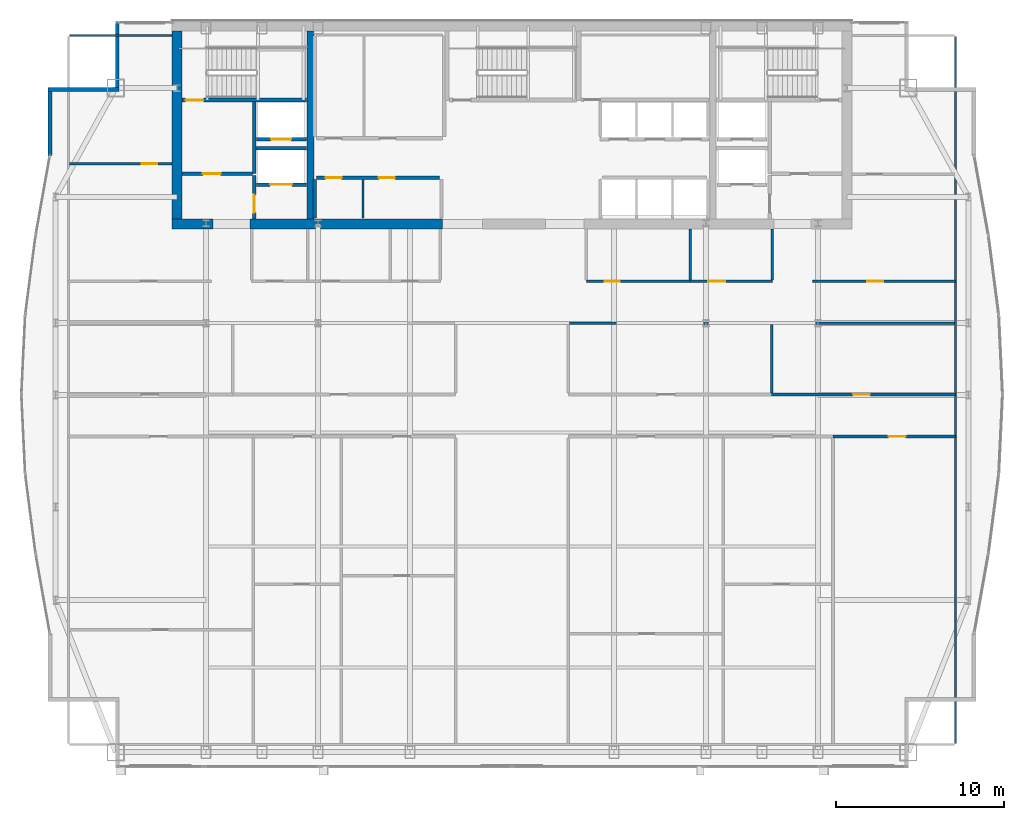
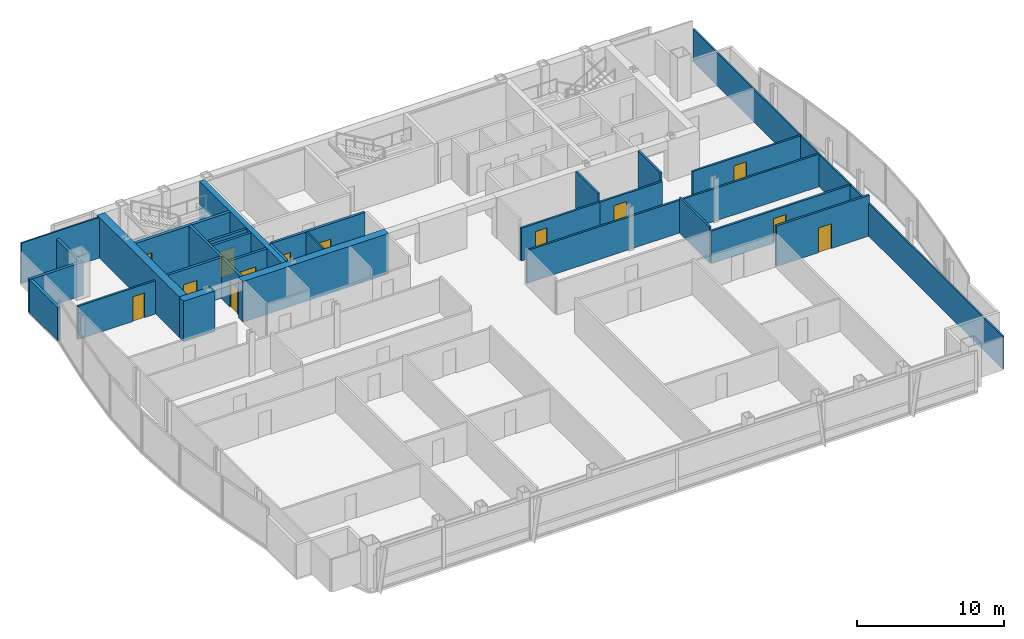
# One storey, part 26 of 30: 29 walls, 13 doors, 13 openings.
"""IFC4 building model written with IfcOpenShell, lengths in metres."""

from ifc_helpers import new_model, si_unit, direction, frame, frame_2d, origin, place, context, subcontext, project, spatial, rectangle, extrude, material, layer, layer_set, type_object, element, fill, save


model = new_model("IFC4")

# Units and contexts
model_context = context("Model", 3, precision=1e-05, world=origin(), true_north=direction((0.0, 1.0)))
body_context = subcontext(model_context, "Body", "Model", "MODEL_VIEW")
ifc_project = project(units=[si_unit("LENGTHUNIT", "METRE"), si_unit("AREAUNIT", "SQUARE_METRE"), si_unit("VOLUMEUNIT", "CUBIC_METRE"), si_unit("PLANEANGLEUNIT", "RADIAN"), si_unit("MASSUNIT", "GRAM", prefix="KILO")], contexts=[model_context])

# Site, building, storey
site_placement = place(None, origin())
site = spatial("IfcSite", under=ifc_project, at=site_placement, CompositionType="ELEMENT")
building_placement = place(site_placement, origin())
building = spatial("IfcBuilding", under=site, at=building_placement, Name="Khoronbel Lancet Exchange", CompositionType="ELEMENT")
storey_placement = place(building_placement, frame((0.0, 0.0, 253.39990234375)))
storey = spatial("IfcBuildingStorey", under=building, at=storey_placement, Name="L65", CompositionType="ELEMENT", Elevation=253.39990234375)

# Walls
ifc_material_1 = material(Name="Concrete C60/75", Category="concrete")
ifc_layer_1 = layer(ifc_material_1, 0.60009765625, Name="Concrete C60/75")
ifc_layer_set_1 = layer_set([ifc_layer_1], Name="Concrete C60/75")
wall_type_1 = type_object("IfcWallType", Name="WL-CW3", PredefinedType="SHEAR", material=ifc_layer_set_1)
wall_1_placement = place(storey_placement, frame((16.5, 41.89990234375, 0.0), z_axis=(0.0, 0.0, 1.0), x_axis=(0.0, 1.0, 0.0)))
element("IfcWall", 1, at=wall_1_placement, inside=storey, type_object=wall_type_1, Name="Level L65 rear core west shear wall", PredefinedType="SHEAR", context=body_context, shape_type="SweptSolid", body=[
    extrude(rectangle(XDim=11.2001953125, YDim=0.60009765625, at=frame_2d((5.60009765625, 0.0))), origin(), (0.0, 0.0, 1.0), 3.380126953125),
])
wall_2_placement = place(storey_placement, frame((18.64990234375, 41.60009765625, 0.0), z_axis=(0.0, 0.0, 1.0), x_axis=(-1.0, 0.0, 0.0)))
element("IfcWall", 2, at=wall_2_placement, inside=storey, type_object=wall_type_1, Name="Level L65 rear core south shear wall pier P1", PredefinedType="SHEAR", context=body_context, shape_type="SweptSolid", body=[
    extrude(rectangle(XDim=2.449951171875, YDim=0.60009765625, at=frame_2d((1.22509765625, 0.0))), origin(), (0.0, 0.0, 1.0), 3.380126953125),
])
wall_3_placement = place(storey_placement, frame((32.300048828125, 41.60009765625, 0.0), z_axis=(0.0, 0.0, 1.0), x_axis=(-1.0, 0.0, 0.0)))
element("IfcWall", 3, at=wall_3_placement, inside=storey, type_object=wall_type_1, Name="Level L65 rear core south shear wall pier P2", PredefinedType="SHEAR", context=body_context, shape_type="SweptSolid", body=[
    extrude(rectangle(XDim=11.449951171875, YDim=0.60009765625, at=frame_2d((5.72509765625, 0.0))), origin(), (0.0, 0.0, 1.0), 3.380126953125),
])
ifc_material_2 = material(Name="Precast concrete C40/50", Category="concrete")
ifc_layer_2 = layer(ifc_material_2, 0.25, Name="Precast concrete C40/50")
ifc_layer_set_2 = layer_set([ifc_layer_2], Name="Precast concrete C40/50")
wall_type_2 = type_object("IfcWallType", Name="WL-EXT250", PredefinedType="SOLIDWALL", material=ifc_layer_set_2)
wall_4_placement = place(storey_placement, frame((8.93994140625, 45.672119140625, 0.0), z_axis=(0.0, 0.0, 1.0), x_axis=(0.0, 1.0, 0.0)))
element("IfcWall", 4, at=wall_4_placement, inside=storey, type_object=wall_type_2, Name="Level L65 notched-corner limestone pier 10", PredefinedType="SOLIDWALL", context=body_context, shape_type="SweptSolid", body=[
    extrude(rectangle(XDim=3.827880859375, YDim=0.219970703125, at=frame_2d((1.9140625, 0.0))), origin(), (0.0, 0.0, 1.0), 2.77001953125),
])
wall_5_placement = place(storey_placement, frame((8.830078125, 49.610107421875, 0.0), z_axis=(0.0, 0.0, 1.0), x_axis=(1.0, 0.0, 0.0)))
element("IfcWall", 5, at=wall_5_placement, inside=storey, type_object=wall_type_2, Name="Level L65 notched-corner limestone pier 11", PredefinedType="SOLIDWALL", context=body_context, shape_type="SweptSolid", body=[
    extrude(rectangle(XDim=4.219970703125, YDim=0.219970703125, at=frame_2d((2.10986328125, 0.0))), origin(), (0.0, 0.0, 1.0), 2.77001953125),
])
wall_6_placement = place(storey_placement, frame((12.93994140625, 49.719970703125, 0.0), z_axis=(0.0, 0.0, 1.0), x_axis=(0.0, 1.0, 0.0)))
element("IfcWall", 6, at=wall_6_placement, inside=storey, type_object=wall_type_2, Name="Level L65 notched-corner limestone pier 12", PredefinedType="SOLIDWALL", context=body_context, shape_type="SweptSolid", body=[
    extrude(rectangle(XDim=3.909912109375, YDim=0.219970703125, at=frame_2d((1.955078125, 0.0))), origin(), (0.0, 0.0, 1.0), 2.77001953125),
])
ifc_material_3 = material(Name="Acoustic Metal-Stud & Mineral-Wool Gypsum Partition 120 mm", Category="gypsum")
ifc_layer_3 = layer(ifc_material_3, 0.1201171875, Name="Acoustic Metal-Stud & Mineral-Wool Gypsum Partition 120 mm")
ifc_layer_set_3 = layer_set([ifc_layer_3], Name="Acoustic Metal-Stud & Mineral-Wool Gypsum Partition 120 mm")
wall_type_3 = type_object("IfcWallType", Name="WL-PRT120", PredefinedType="PARTITIONING", material=ifc_layer_set_3)
for number, where, z_axis, x_axis, name in (
    (7, (47.050048828125, 38.280029296875, 0.0), (0.0, 0.0, 1.0), (0.0, 1.0, 0.0), "Level L65 interior partition PW-NP-M"),
    (8, (51.949951171875, 38.280029296875, 0.0), (0.0, 0.0, 1.0), (0.0, 1.0, 0.0), "Level L65 interior partition PW-NP-1"),
):
    element("IfcWall", number, at=place(storey_placement, frame(where, z_axis=z_axis, x_axis=x_axis)), inside=storey, type_object=wall_type_3, Name=name, PredefinedType="PARTITIONING", context=body_context, shape_type="SweptSolid", body=[
        extrude(rectangle(XDim=3.02001953125, YDim=0.14990234375, at=frame_2d((1.510009765625, 0.0))), origin(), (0.0, 0.0, 1.0), 3.380126953125),
    ])

# Wall, opening, door
wall_7_placement = place(storey_placement, frame((10.094970703125, 45.199951171875, 0.0), z_axis=(0.0, 0.0, 1.0), x_axis=(1.0, 0.0, 0.0)))
wall_7 = element("IfcWall", 9, at=wall_7_placement, inside=storey, type_object=wall_type_3, Name="Level L65 interior partition PW-NW-H", PredefinedType="PARTITIONING", context=body_context, shape_type="SweptSolid", body=[
    extrude(rectangle(XDim=6.10498046875, YDim=0.14990234375, at=frame_2d((3.052490234375, 0.0))), origin(), (0.0, 0.0, 1.0), 2.77001953125),
])
opening_1_placement = place(wall_7_placement, frame((4.320068359375, 0.0, 0.0)))
opening_1 = element("IfcOpeningElement", 10, at=opening_1_placement, cuts=wall_7, Name="Opening D5", PredefinedType="OPENING", context=body_context, shape_type="SweptSolid", body=[
    extrude(rectangle(XDim=0.89990234375, YDim=2.050048828125, at=frame_2d((0.449951171875, 1.02490234375))), frame((0.0, 0.0849609375, 0.0), z_axis=(0.0, -1.0, 0.0), x_axis=(1.0, 0.0, 0.0)), (0.0, 0.0, 1.0), 0.169921875),
])
ifc_material_4 = material(Name="Acoustic Timber Pantry & Support Door", Category="wood")
door_type_1 = type_object("IfcDoorType", Name="DR-D5", OperationType="NOTDEFINED", PredefinedType="DOOR", material=ifc_material_4)
door_1_placement = place(opening_1_placement, origin())
door_1 = element("IfcDoor", 11, at=door_1_placement, inside=storey, type_object=door_type_1, Name="NW north room door L65-1", OperationType="SINGLE_SWING_RIGHT", OverallHeight=2.050048828125, OverallWidth=0.89990234375, PredefinedType="DOOR", context=body_context, shape_type="SweptSolid", body=[
    extrude(rectangle(XDim=0.89990234375, YDim=2.050048828125, at=frame_2d((0.449951171875, 1.02490234375))), frame((0.0, 0.02490234375, 0.0), z_axis=(0.0, -1.0, 0.0), x_axis=(1.0, 0.0, 0.0)), (0.0, 0.0, 1.0), 0.050048828125),
])
fill(opening_1, door_1)

# Walls
wall_8_placement = place(storey_placement, frame((62.8701171875, 10.6650390625, 0.0), z_axis=(0.0, 0.0, 1.0), x_axis=(0.0, 1.0, 0.0)))
element("IfcWall", 12, at=wall_8_placement, inside=storey, type_object=wall_type_3, Name="Level L65 interior partition PW-LIN-E", PredefinedType="PARTITIONING", context=body_context, shape_type="SweptSolid", body=[
    extrude(rectangle(XDim=42.10986328125, YDim=0.1201171875, at=frame_2d((21.054931640625, 0.0))), origin(), (0.0, 0.0, 1.0), 2.72021484375),
])
wall_9_placement = place(storey_placement, frame((10.094970703125, 52.840087890625, 0.0), z_axis=(0.0, 0.0, 1.0), x_axis=(1.0, 0.0, 0.0)))
element("IfcWall", 13, at=wall_9_placement, inside=storey, type_object=wall_type_3, Name="Level L65 interior partition PW-LIN-NW", PredefinedType="PARTITIONING", context=body_context, shape_type="SweptSolid", body=[
    extrude(rectangle(XDim=6.10498046875, YDim=0.1201171875, at=frame_2d((3.052490234375, 0.0))), origin(), (0.0, 0.0, 1.0), 3.380126953125),
])
ifc_material_5 = material(Name="Fire-Rated Metal-Stud & Mineral-Wool Gypsum Partition 120 mm", Category="gypsum")
ifc_layer_4 = layer(ifc_material_5, 0.1201171875, Name="Fire-Rated Metal-Stud & Mineral-Wool Gypsum Partition 120 mm")
ifc_layer_set_4 = layer_set([ifc_layer_4], Name="Fire-Rated Metal-Stud & Mineral-Wool Gypsum Partition 120 mm")
wall_type_4 = type_object("IfcWallType", Name="WL-PRT120F", PredefinedType="PARTITIONING", material=ifc_layer_set_4)
wall_10_placement = place(storey_placement, frame((27.569091796875, 41.949951171875, 0.0), z_axis=(0.0, 0.0, 1.0), x_axis=(0.0, 1.0, 0.0)))
element("IfcWall", 14, at=wall_10_placement, inside=storey, type_object=wall_type_4, Name="Level L65 interior partition CW-PM-RS1", PredefinedType="PARTITIONING", context=body_context, shape_type="SweptSolid", body=[
    extrude(rectangle(XDim=2.295166015625, YDim=0.1201171875, at=frame_2d((1.1474609375, 0.0))), origin(), (0.0, 0.0, 1.0), 3.380126953125),
])

# Wall, opening, door
ifc_material_6 = material(Name="Fire-Rated Twin-Stud Acoustic Gypsum Partition 150 mm", Category="gypsum")
ifc_layer_5 = layer(ifc_material_6, 0.14990234375, Name="Fire-Rated Twin-Stud Acoustic Gypsum Partition 150 mm")
ifc_layer_set_5 = layer_set([ifc_layer_5], Name="Fire-Rated Twin-Stud Acoustic Gypsum Partition 150 mm")
wall_type_5 = type_object("IfcWallType", Name="WL-PRT150C", PredefinedType="PARTITIONING", material=ifc_layer_set_5)
wall_11_placement = place(storey_placement, frame((40.8798828125, 38.199951171875, 0.0), z_axis=(0.0, 0.0, 1.0), x_axis=(1.0, 0.0, 0.0)))
wall_11 = element("IfcWall", 15, at=wall_11_placement, inside=storey, type_object=wall_type_5, Name="Level L65 interior partition PW-NP-S1", PredefinedType="PARTITIONING", context=body_context, shape_type="SweptSolid", body=[
    extrude(rectangle(XDim=6.170166015625, YDim=0.14990234375, at=frame_2d((3.0849609375, 0.0))), origin(), (0.0, 0.0, 1.0), 2.72021484375),
])
opening_2_placement = place(wall_11_placement, frame((1.10009765625, 0.0, 0.0)))
opening_2 = element("IfcOpeningElement", 16, at=opening_2_placement, cuts=wall_11, Name="Opening D5", PredefinedType="OPENING", context=body_context, shape_type="SweptSolid", body=[
    extrude(rectangle(XDim=0.89990234375, YDim=2.050048828125, at=frame_2d((0.449951171875, 1.02490234375))), frame((0.0, 0.0849609375, 0.0), z_axis=(0.0, -1.0, 0.0), x_axis=(1.0, 0.0, 0.0)), (0.0, 0.0, 1.0), 0.169921875),
])
door_2_placement = place(opening_2_placement, origin())
door_2 = element("IfcDoor", 17, at=door_2_placement, inside=storey, type_object=door_type_1, Name="Floor refreshment pantry door L65-1", OperationType="SINGLE_SWING_RIGHT", OverallHeight=2.050048828125, OverallWidth=0.89990234375, PredefinedType="DOOR", context=body_context, shape_type="SweptSolid", body=[
    extrude(rectangle(XDim=0.89990234375, YDim=2.050048828125, at=frame_2d((0.449951171875, 1.02490234375))), frame((0.0, 0.02490234375, 0.0), z_axis=(0.0, -1.0, 0.0), x_axis=(1.0, 0.0, 0.0)), (0.0, 0.0, 1.0), 0.050048828125),
])
fill(opening_2, door_2)

wall_12_placement = place(storey_placement, frame((47.050048828125, 38.199951171875, 0.0), z_axis=(0.0, 0.0, 1.0), x_axis=(1.0, 0.0, 0.0)))
wall_12 = element("IfcWall", 18, at=wall_12_placement, inside=storey, type_object=wall_type_5, Name="Level L65 interior partition PW-NP-S2", PredefinedType="PARTITIONING", context=body_context, shape_type="SweptSolid", body=[
    extrude(rectangle(XDim=4.89990234375, YDim=0.14990234375, at=frame_2d((2.449951171875, 0.0))), origin(), (0.0, 0.0, 1.0), 2.72021484375),
])
opening_3_placement = place(wall_12_placement, frame((1.10009765625, 0.0, 0.0)))
opening_3 = element("IfcOpeningElement", 19, at=opening_3_placement, cuts=wall_12, Name="Opening D2", PredefinedType="OPENING", context=body_context, shape_type="SweptSolid", body=[
    extrude(rectangle(XDim=1.0, YDim=2.050048828125, at=frame_2d((0.5, 1.02490234375))), frame((0.0, 0.0849609375, 0.0), z_axis=(0.0, -1.0, 0.0), x_axis=(1.0, 0.0, 0.0)), (0.0, 0.0, 1.0), 0.169921875),
])
ifc_material_7 = material(Name="Acoustic Veneered Timber & Bronze Frame Door", Category="wood")
door_type_2 = type_object("IfcDoorType", Name="DR-D2", OperationType="NOTDEFINED", PredefinedType="DOOR", material=ifc_material_7)
door_3_placement = place(opening_3_placement, origin())
door_3 = element("IfcDoor", 20, at=door_3_placement, inside=storey, type_object=door_type_2, Name="Floor store door L65-1", OperationType="SINGLE_SWING_LEFT", OverallHeight=2.050048828125, OverallWidth=1.0, PredefinedType="DOOR", context=body_context, shape_type="SweptSolid", body=[
    extrude(rectangle(XDim=1.0, YDim=2.050048828125, at=frame_2d((0.5, 1.02490234375))), frame((0.0, 0.02490234375, 0.0), z_axis=(0.0, -1.0, 0.0), x_axis=(1.0, 0.0, 0.0)), (0.0, 0.0, 1.0), 0.050048828125),
])
fill(opening_3, door_3)

wall_13_placement = place(storey_placement, frame((54.35009765625, 38.199951171875, 0.0), z_axis=(0.0, 0.0, 1.0), x_axis=(1.0, 0.0, 0.0)))
wall_13 = element("IfcWall", 21, at=wall_13_placement, inside=storey, type_object=wall_type_5, Name="Level L65 interior partition PW-NE-S", PredefinedType="PARTITIONING", context=body_context, shape_type="SweptSolid", body=[
    extrude(rectangle(XDim=8.52001953125, YDim=0.14990234375, at=frame_2d((4.260009765625, 0.0))), origin(), (0.0, 0.0, 1.0), 2.72021484375),
])
opening_4_placement = place(wall_13_placement, frame((3.25, 0.0, 0.0)))
opening_4 = element("IfcOpeningElement", 22, at=opening_4_placement, cuts=wall_13, Name="Opening D1", PredefinedType="OPENING", context=body_context, shape_type="SweptSolid", body=[
    extrude(rectangle(XDim=0.949951171875, YDim=2.050048828125, at=frame_2d((0.47509765625, 1.02490234375))), frame((0.0, 0.0849609375, 0.0), z_axis=(0.0, -1.0, 0.0), x_axis=(1.0, 0.0, 0.0)), (0.0, 0.0, 1.0), 0.169921875),
])
door_type_3 = type_object("IfcDoorType", Name="DR-D1", OperationType="NOTDEFINED", PredefinedType="DOOR", material=ifc_material_7)
door_4_placement = place(opening_4_placement, origin())
door_4 = element("IfcDoor", 23, at=door_4_placement, inside=storey, type_object=door_type_3, Name="NE corner room door L65-1", OperationType="SINGLE_SWING_LEFT", OverallHeight=2.050048828125, OverallWidth=0.949951171875, PredefinedType="DOOR", context=body_context, shape_type="SweptSolid", body=[
    extrude(rectangle(XDim=0.949951171875, YDim=2.050048828125, at=frame_2d((0.47509765625, 1.02490234375))), frame((0.0, 0.02490234375, 0.0), z_axis=(0.0, -1.0, 0.0), x_axis=(1.0, 0.0, 0.0)), (0.0, 0.0, 1.0), 0.050048828125),
])
fill(opening_4, door_4)

# Walls
wall_14_placement = place(storey_placement, frame((39.8798828125, 35.699951171875, 0.0), z_axis=(0.0, 0.0, 1.0), x_axis=(1.0, 0.0, 0.0)))
element("IfcWall", 24, at=wall_14_placement, inside=storey, type_object=wall_type_5, Name="Level L65 interior partition PW-Z3-EN", PredefinedType="PARTITIONING", context=body_context, shape_type="SweptSolid", body=[
    extrude(rectangle(XDim=22.925048828125, YDim=0.14990234375, at=frame_2d((11.46240234375, 0.0))), origin(), (0.0, 0.0, 1.0), 2.72021484375),
])
wall_15_placement = place(storey_placement, frame((51.91162109375, 31.534912109375, 0.0), z_axis=(0.0, 0.0, 1.0), x_axis=(0.0, 1.0, 0.0)))
element("IfcWall", 25, at=wall_15_placement, inside=storey, type_object=wall_type_5, Name="Level L65 interior partition PW-Z3NE-V1", PredefinedType="PARTITIONING", context=body_context, shape_type="SweptSolid", body=[
    extrude(rectangle(XDim=4.085205078125, YDim=0.14990234375, at=frame_2d((2.04248046875, 0.0))), origin(), (0.0, 0.0, 1.0), 2.97021484375),
])

# Wall, opening, door
ifc_material_8 = material(Name="Fire-Rated Twin-Stud Acoustic Gypsum Partition 160 mm", Category="gypsum")
ifc_layer_6 = layer(ifc_material_8, 0.159912109375, Name="Fire-Rated Twin-Stud Acoustic Gypsum Partition 160 mm")
ifc_layer_set_6 = layer_set([ifc_layer_6], Name="Fire-Rated Twin-Stud Acoustic Gypsum Partition 160 mm")
wall_type_6 = type_object("IfcWallType", Name="WL-PRT160C", PredefinedType="PARTITIONING", material=ifc_layer_set_6)
wall_16_placement = place(storey_placement, frame((55.564453125, 28.949951171875, 0.0), z_axis=(0.0, 0.0, 1.0), x_axis=(1.0, 0.0, 0.0)))
wall_16 = element("IfcWall", 26, at=wall_16_placement, inside=storey, type_object=wall_type_6, Name="Level L65 interior partition PW-Z3SE-COR3", PredefinedType="PARTITIONING", context=body_context, shape_type="SweptSolid", body=[
    extrude(rectangle(XDim=7.3056640625, YDim=0.159912109375, at=frame_2d((3.65283203125, 0.0))), origin(), (0.0, 0.0, 1.0), 3.380126953125),
])
opening_5_placement = place(wall_16_placement, frame((3.318359375, 0.0, 0.0)))
opening_5 = element("IfcOpeningElement", 27, at=opening_5_placement, cuts=wall_16, Name="Opening D2", PredefinedType="OPENING", context=body_context, shape_type="SweptSolid", body=[
    extrude(rectangle(XDim=1.0, YDim=2.050048828125, at=frame_2d((0.5, 1.02490234375))), frame((0.0, 0.08984375, 0.0), z_axis=(0.0, -1.0, 0.0), x_axis=(1.0, 0.0, 0.0)), (0.0, 0.0, 1.0), 0.179931640625),
])
door_5_placement = place(opening_5_placement, origin())
door_5 = element("IfcDoor", 28, at=door_5_placement, inside=storey, type_object=door_type_2, Name="Z3SE bay 3 door L65-1", OperationType="SINGLE_SWING_RIGHT", OverallHeight=2.050048828125, OverallWidth=1.0, PredefinedType="DOOR", context=body_context, shape_type="SweptSolid", body=[
    extrude(rectangle(XDim=1.0, YDim=2.050048828125, at=frame_2d((0.5, 1.02490234375))), frame((0.0, 0.02490234375, 0.0), z_axis=(0.0, -1.0, 0.0), x_axis=(1.0, 0.0, 0.0)), (0.0, 0.0, 1.0), 0.050048828125),
])
fill(opening_5, door_5)

wall_17_placement = place(storey_placement, frame((51.91162109375, 31.449951171875, 0.0), z_axis=(0.0, 0.0, 1.0), x_axis=(1.0, 0.0, 0.0)))
wall_17 = element("IfcWall", 29, at=wall_17_placement, inside=storey, type_object=wall_type_6, Name="Level L65 interior partition PW-Z3NE-COR2", PredefinedType="PARTITIONING", context=body_context, shape_type="SweptSolid", body=[
    extrude(rectangle(XDim=10.95849609375, YDim=0.159912109375, at=frame_2d((5.479248046875, 0.0))), origin(), (0.0, 0.0, 1.0), 2.72021484375),
])
opening_6_placement = place(wall_17_placement, frame((4.8525390625, 0.0, 0.0)))
opening_6 = element("IfcOpeningElement", 30, at=opening_6_placement, cuts=wall_17, Name="Opening D2", PredefinedType="OPENING", context=body_context, shape_type="SweptSolid", body=[
    extrude(rectangle(XDim=1.0, YDim=2.050048828125, at=frame_2d((0.5, 1.02490234375))), frame((0.0, 0.08984375, 0.0), z_axis=(0.0, -1.0, 0.0), x_axis=(1.0, 0.0, 0.0)), (0.0, 0.0, 1.0), 0.179931640625),
])
door_6_placement = place(opening_6_placement, origin())
door_6 = element("IfcDoor", 31, at=door_6_placement, inside=storey, type_object=door_type_2, Name="Z3NE bay 2 door L65-1", OperationType="SINGLE_SWING_RIGHT", OverallHeight=2.050048828125, OverallWidth=1.0, PredefinedType="DOOR", context=body_context, shape_type="SweptSolid", body=[
    extrude(rectangle(XDim=1.0, YDim=2.050048828125, at=frame_2d((0.5, 1.02490234375))), frame((0.0, 0.02490234375, 0.0), z_axis=(0.0, -1.0, 0.0), x_axis=(1.0, 0.0, 0.0)), (0.0, 0.0, 1.0), 0.050048828125),
])
fill(opening_6, door_6)

ifc_material_9 = material(Name="Autoclaved Aerated Concrete Blockwork 200 mm", Category="masonry")
ifc_layer_7 = layer(ifc_material_9, 0.199951171875, Name="Autoclaved Aerated Concrete Blockwork 200 mm")
ifc_layer_set_7 = layer_set([ifc_layer_7], Name="Autoclaved Aerated Concrete Blockwork 200 mm")
wall_type_7 = type_object("IfcWallType", Name="WL-PRT200", PredefinedType="PARTITIONING", material=ifc_layer_set_7)
wall_18_placement = place(storey_placement, frame((24.2099609375, 43.949951171875, 0.0), z_axis=(0.0, 0.0, 1.0), x_axis=(-1.0, 0.0, 0.0)))
wall_18 = element("IfcWall", 32, at=wall_18_placement, inside=storey, type_object=wall_type_7, Name="Level L65 elevator hoistway landing front wall SVLW", PredefinedType="PARTITIONING", context=body_context, shape_type="SweptSolid", body=[
    extrude(rectangle(XDim=2.969970703125, YDim=0.199951171875, at=frame_2d((1.48486328125, 0.0))), origin(), (0.0, 0.0, 1.0), 3.380126953125),
])
opening_7_placement = place(wall_18_placement, frame((0.860107421875, 0.0, 0.0)))
opening_7 = element("IfcOpeningElement", 33, at=opening_7_placement, cuts=wall_18, Name="Opening LD-SVL1", PredefinedType="OPENING", context=body_context, shape_type="SweptSolid", body=[
    extrude(rectangle(XDim=1.300048828125, YDim=2.179931640625, at=frame_2d((0.64990234375, 1.08984375))), frame((0.0, 0.10986328125, 0.0), z_axis=(0.0, -1.0, 0.0), x_axis=(1.0, 0.0, 0.0)), (0.0, 0.0, 1.0), 0.219970703125),
])
ifc_material_10 = material(Name="Heavy-Duty Bi-Parting Goods Lift Landing Door", Category="steel")
door_type_4 = type_object("IfcDoorType", Name="DR-LD-SVL", OperationType="NOTDEFINED", PredefinedType="DOOR", material=ifc_material_10)
door_7_placement = place(opening_7_placement, origin())
door_7 = element("IfcDoor", 34, at=door_7_placement, inside=storey, type_object=door_type_4, Name="Elevator landing sliding door LD-SVL1 L65", OperationType="SLIDING_TO_LEFT", OverallHeight=2.179931640625, OverallWidth=1.300048828125, PredefinedType="DOOR", context=body_context, shape_type="SweptSolid", body=[
    extrude(rectangle(XDim=1.300048828125, YDim=2.179931640625, at=frame_2d((0.64990234375, 1.08984375))), frame((0.0, 0.02490234375, 0.0), z_axis=(0.0, -1.0, 0.0), x_axis=(1.0, 0.0, 0.0)), (0.0, 0.0, 1.0), 0.050048828125),
])
fill(opening_7, door_7)

wall_19_placement = place(storey_placement, frame((24.2099609375, 46.64990234375, 0.0), z_axis=(0.0, 0.0, 1.0), x_axis=(-1.0, 0.0, 0.0)))
wall_19 = element("IfcWall", 35, at=wall_19_placement, inside=storey, type_object=wall_type_7, Name="Level L65 elevator hoistway landing front wall FFLW", PredefinedType="PARTITIONING", context=body_context, shape_type="SweptSolid", body=[
    extrude(rectangle(XDim=2.969970703125, YDim=0.199951171875, at=frame_2d((1.48486328125, 0.0))), origin(), (0.0, 0.0, 1.0), 3.380126953125),
])
opening_8_placement = place(wall_19_placement, frame((0.909912109375, 0.0, 0.0)))
opening_8 = element("IfcOpeningElement", 36, at=opening_8_placement, cuts=wall_19, Name="Opening LD-FFL1", PredefinedType="OPENING", context=body_context, shape_type="SweptSolid", body=[
    extrude(rectangle(XDim=1.199951171875, YDim=2.179931640625, at=frame_2d((0.60009765625, 1.08984375))), frame((0.0, 0.10986328125, 0.0), z_axis=(0.0, -1.0, 0.0), x_axis=(1.0, 0.0, 0.0)), (0.0, 0.0, 1.0), 0.219970703125),
])
ifc_material_11 = material(Name="Fire-Rated Stainless Bi-Parting Firefighting Lift Door", Category="steel")
door_type_5 = type_object("IfcDoorType", Name="DR-LD-FFL", OperationType="NOTDEFINED", PredefinedType="DOOR", material=ifc_material_11)
door_8_placement = place(opening_8_placement, origin())
door_8 = element("IfcDoor", 37, at=door_8_placement, inside=storey, type_object=door_type_5, Name="Elevator landing sliding door LD-FFL1 L65", OperationType="SLIDING_TO_LEFT", OverallHeight=2.179931640625, OverallWidth=1.199951171875, PredefinedType="DOOR", context=body_context, shape_type="SweptSolid", body=[
    extrude(rectangle(XDim=1.199951171875, YDim=2.179931640625, at=frame_2d((0.60009765625, 1.08984375))), frame((0.0, 0.02490234375, 0.0), z_axis=(0.0, -1.0, 0.0), x_axis=(1.0, 0.0, 0.0)), (0.0, 0.0, 1.0), 0.050048828125),
])
fill(opening_8, door_8)

# Wall
wall_20_placement = place(storey_placement, frame((21.10009765625, 44.60009765625, 0.0), z_axis=(0.0, 0.0, 1.0), x_axis=(0.0, 1.0, 0.0)))
element("IfcWall", 38, at=wall_20_placement, inside=storey, type_object=wall_type_7, Name="Level L65 interior partition CW-FFLW-E", PredefinedType="PARTITIONING", context=body_context, shape_type="SweptSolid", body=[
    extrude(rectangle(XDim=4.2998046875, YDim=0.199951171875, at=frame_2d((2.14990234375, 0.0))), origin(), (0.0, 0.0, 1.0), 3.380126953125),
])

# Wall, opening, door
wall_21_placement = place(storey_placement, frame((16.800048828125, 44.60009765625, 0.0), z_axis=(0.0, 0.0, 1.0), x_axis=(1.0, 0.0, 0.0)))
wall_21 = element("IfcWall", 39, at=wall_21_placement, inside=storey, type_object=wall_type_7, Name="Level L65 interior partition CW-FFLW-S", PredefinedType="PARTITIONING", context=body_context, shape_type="SweptSolid", body=[
    extrude(rectangle(XDim=4.199951171875, YDim=0.199951171875, at=frame_2d((2.10009765625, 0.0))), origin(), (0.0, 0.0, 1.0), 3.380126953125),
])
opening_9_placement = place(wall_21_placement, frame((1.25, 0.0, 0.0)))
opening_9 = element("IfcOpeningElement", 40, at=opening_9_placement, cuts=wall_21, Name="Opening FD1", PredefinedType="OPENING", context=body_context, shape_type="SweptSolid", body=[
    extrude(rectangle(XDim=1.050048828125, YDim=2.14990234375, at=frame_2d((0.52490234375, 1.074951171875))), frame((0.0, 0.10986328125, 0.0), z_axis=(0.0, -1.0, 0.0), x_axis=(1.0, 0.0, 0.0)), (0.0, 0.0, 1.0), 0.219970703125),
])
ifc_material_12 = material(Name="Fire-Rated Painted Steel Door Assembly", Category="steel")
door_type_6 = type_object("IfcDoorType", Name="DR-FD1", OperationType="NOTDEFINED", PredefinedType="DOOR", material=ifc_material_12)
door_9_placement = place(opening_9_placement, origin())
door_9 = element("IfcDoor", 41, at=door_9_placement, inside=storey, type_object=door_type_6, Name="West firefighting lobby FD90S door L65-1", OperationType="SINGLE_SWING_RIGHT", OverallHeight=2.14990234375, OverallWidth=1.050048828125, PredefinedType="DOOR", context=body_context, shape_type="SweptSolid", body=[
    extrude(rectangle(XDim=1.050048828125, YDim=2.14990234375, at=frame_2d((0.52490234375, 1.074951171875))), frame((0.0, 0.02490234375, 0.0), z_axis=(0.0, -1.0, 0.0), x_axis=(1.0, 0.0, 0.0)), (0.0, 0.0, 1.0), 0.050048828125),
])
fill(opening_9, door_9)

# Wall
wall_22_placement = place(storey_placement, frame((21.199951171875, 46.1201171875, 0.0), z_axis=(0.0, 0.0, 1.0), x_axis=(1.0, 0.0, 0.0)))
element("IfcWall", 42, at=wall_22_placement, inside=storey, type_object=wall_type_7, Name="Level L65 interior partition CW-FFL1-S", PredefinedType="PARTITIONING", context=body_context, shape_type="SweptSolid", body=[
    extrude(rectangle(XDim=3.02001953125, YDim=0.199951171875, at=frame_2d((1.510009765625, 0.0))), origin(), (0.0, 0.0, 1.0), 3.380126953125),
])

# Wall, opening, door
wall_23_placement = place(storey_placement, frame((21.10009765625, 41.89990234375, 0.0), z_axis=(0.0, 0.0, 1.0), x_axis=(0.0, 1.0, 0.0)))
wall_23 = element("IfcWall", 43, at=wall_23_placement, inside=storey, type_object=wall_type_7, Name="Level L65 interior partition CW-SVLW-W", PredefinedType="PARTITIONING", context=body_context, shape_type="SweptSolid", body=[
    extrude(rectangle(XDim=2.59521484375, YDim=0.199951171875, at=frame_2d((1.297607421875, 0.0))), origin(), (0.0, 0.0, 1.0), 3.380126953125),
])
opening_10_placement = place(wall_23_placement, frame((0.3798828125, 0.0, 0.0)))
opening_10 = element("IfcOpeningElement", 44, at=opening_10_placement, cuts=wall_23, Name="Opening FD1", PredefinedType="OPENING", context=body_context, shape_type="SweptSolid", body=[
    extrude(rectangle(XDim=1.050048828125, YDim=2.14990234375, at=frame_2d((0.52490234375, 1.074951171875))), frame((0.0, 0.10986328125, 0.0), z_axis=(0.0, -1.0, 0.0), x_axis=(1.0, 0.0, 0.0)), (0.0, 0.0, 1.0), 0.219970703125),
])
door_10_placement = place(opening_10_placement, origin())
door_10 = element("IfcDoor", 45, at=door_10_placement, inside=storey, type_object=door_type_6, Name="West service lift lobby door L65-1", OperationType="SINGLE_SWING_LEFT", OverallHeight=2.14990234375, OverallWidth=1.050048828125, PredefinedType="DOOR", context=body_context, shape_type="SweptSolid", body=[
    extrude(rectangle(XDim=1.050048828125, YDim=2.14990234375, at=frame_2d((0.52490234375, 1.074951171875))), frame((0.0, 0.02490234375, 0.0), z_axis=(0.0, -1.0, 0.0), x_axis=(1.0, 0.0, 0.0)), (0.0, 0.0, 1.0), 0.050048828125),
])
fill(opening_10, door_10)

# Wall
wall_24_placement = place(storey_placement, frame((24.699951171875, 41.949951171875, 0.0), z_axis=(0.0, 0.0, 1.0), x_axis=(0.0, 1.0, 0.0)))
element("IfcWall", 46, at=wall_24_placement, inside=storey, type_object=wall_type_7, Name="Level L65 interior partition CW-PM-RW", PredefinedType="PARTITIONING", context=body_context, shape_type="SweptSolid", body=[
    extrude(rectangle(XDim=2.295166015625, YDim=0.199951171875, at=frame_2d((1.1474609375, 0.0))), origin(), (0.0, 0.0, 1.0), 3.380126953125),
])

# Wall, openings, doors
wall_25_placement = place(storey_placement, frame((24.804931640625, 44.35009765625, 0.0), z_axis=(0.0, 0.0, 1.0), x_axis=(1.0, 0.0, 0.0)))
wall_25 = element("IfcWall", 47, at=wall_25_placement, inside=storey, type_object=wall_type_7, Name="Level L65 interior partition CW-PM-RF", PredefinedType="PARTITIONING", context=body_context, shape_type="SweptSolid", body=[
    extrude(rectangle(XDim=7.340087890625, YDim=0.199951171875, at=frame_2d((3.669921875, 0.0))), origin(), (0.0, 0.0, 1.0), 3.380126953125),
])
opening_11_placement = place(wall_25_placement, frame((0.550048828125, 0.0, 0.0)))
opening_11 = element("IfcOpeningElement", 48, at=opening_11_placement, cuts=wall_25, Name="Opening FD3", PredefinedType="OPENING", context=body_context, shape_type="SweptSolid", body=[
    extrude(rectangle(XDim=0.949951171875, YDim=2.10009765625, at=frame_2d((0.47509765625, 1.050048828125))), frame((0.0, 0.10986328125, 0.0), z_axis=(0.0, -1.0, 0.0), x_axis=(1.0, 0.0, 0.0)), (0.0, 0.0, 1.0), 0.219970703125),
])
opening_12_placement = place(wall_25_placement, frame((3.718994140625, 0.0, 0.0)))
opening_12 = element("IfcOpeningElement", 49, at=opening_12_placement, cuts=wall_25, Name="Opening FD3", PredefinedType="OPENING", context=body_context, shape_type="SweptSolid", body=[
    extrude(rectangle(XDim=0.949951171875, YDim=2.10009765625, at=frame_2d((0.47509765625, 1.050048828125))), frame((0.0, 0.10986328125, 0.0), z_axis=(0.0, -1.0, 0.0), x_axis=(1.0, 0.0, 0.0)), (0.0, 0.0, 1.0), 0.219970703125),
])
ifc_material_13 = material(Name="Fire-Rated Steel Plant & Riser Door Assembly", Category="steel")
door_type_7 = type_object("IfcDoorType", Name="DR-FD3", OperationType="NOTDEFINED", PredefinedType="DOOR", material=ifc_material_13)
door_11_placement = place(opening_11_placement, origin())
door_11 = element("IfcDoor", 50, at=door_11_placement, inside=storey, type_object=door_type_7, Name="Reclaimed PM A door L65-1", OperationType="SINGLE_SWING_RIGHT", OverallHeight=2.10009765625, OverallWidth=0.949951171875, PredefinedType="DOOR", context=body_context, shape_type="SweptSolid", body=[
    extrude(rectangle(XDim=0.949951171875, YDim=2.10009765625, at=frame_2d((0.47509765625, 1.050048828125))), frame((0.0, 0.02490234375, 0.0), z_axis=(0.0, -1.0, 0.0), x_axis=(1.0, 0.0, 0.0)), (0.0, 0.0, 1.0), 0.050048828125),
])
fill(opening_11, door_11)
door_12_placement = place(opening_12_placement, origin())
door_12 = element("IfcDoor", 51, at=door_12_placement, inside=storey, type_object=door_type_7, Name="Reclaimed PM B door L65-2", OperationType="SINGLE_SWING_LEFT", OverallHeight=2.10009765625, OverallWidth=0.949951171875, PredefinedType="DOOR", context=body_context, shape_type="SweptSolid", body=[
    extrude(rectangle(XDim=0.949951171875, YDim=2.10009765625, at=frame_2d((0.47509765625, 1.050048828125))), frame((0.0, 0.02490234375, 0.0), z_axis=(0.0, -1.0, 0.0), x_axis=(1.0, 0.0, 0.0)), (0.0, 0.0, 1.0), 0.050048828125),
])
fill(opening_12, door_12)

# Wall
ifc_layer_8 = layer(ifc_material_1, 0.39990234375, Name="Concrete C60/75")
ifc_layer_set_8 = layer_set([ifc_layer_8], Name="Concrete C60/75")
wall_type_8 = type_object("IfcWallType", Name="WL-SW2", PredefinedType="SHEAR", material=ifc_layer_set_8)
wall_26_placement = place(storey_placement, frame((24.449951171875, 41.89990234375, 0.0), z_axis=(0.0, 0.0, 1.0), x_axis=(0.0, 1.0, 0.0)))
element("IfcWall", 52, at=wall_26_placement, inside=storey, type_object=wall_type_8, Name="Level L65 rear core internal spine shear wall IW", PredefinedType="SHEAR", context=body_context, shape_type="SweptSolid", body=[
    extrude(rectangle(XDim=11.2001953125, YDim=0.39990234375, at=frame_2d((5.60009765625, 0.0))), origin(), (0.0, 0.0, 1.0), 3.380126953125),
])

# Wall, opening, door
ifc_layer_9 = layer(ifc_material_1, 0.260009765625, Name="Concrete C60/75")
ifc_layer_set_9 = layer_set([ifc_layer_9], Name="Concrete C60/75")
wall_type_9 = type_object("IfcWallType", Name="WL-SW3", PredefinedType="SHEAR", material=ifc_layer_set_9)
wall_27_placement = place(storey_placement, frame((16.800048828125, 48.97998046875, 0.0), z_axis=(0.0, 0.0, 1.0), x_axis=(1.0, 0.0, 0.0)))
wall_27 = element("IfcWall", 53, at=wall_27_placement, inside=storey, type_object=wall_type_9, Name="Level L65 west stairwell structural south wall", PredefinedType="SHEAR", context=body_context, shape_type="SweptSolid", body=[
    extrude(rectangle(XDim=7.419921875, YDim=0.239990234375, at=frame_2d((3.7099609375, 0.0))), origin(), (0.0, 0.0, 1.0), 3.380126953125),
])
opening_13_placement = place(wall_27_placement, frame((0.219970703125, 0.0, 0.0)))
opening_13 = element("IfcOpeningElement", 54, at=opening_13_placement, cuts=wall_27, Name="Opening SD1", PredefinedType="OPENING", context=body_context, shape_type="SweptSolid", body=[
    extrude(rectangle(XDim=1.050048828125, YDim=2.14990234375, at=frame_2d((0.52490234375, 1.074951171875))), frame((0.0, 0.1298828125, 0.0), z_axis=(0.0, -1.0, 0.0), x_axis=(1.0, 0.0, 0.0)), (0.0, 0.0, 1.0), 0.260009765625),
])
ifc_material_14 = material(Name="Fire-Rated Steel Stairwell Door Assembly", Category="steel")
door_type_8 = type_object("IfcDoorType", Name="DR-SD1", OperationType="NOTDEFINED", PredefinedType="DOOR", material=ifc_material_14)
door_13_placement = place(opening_13_placement, origin())
door_13 = element("IfcDoor", 55, at=door_13_placement, inside=storey, type_object=door_type_8, Name="Protected exit stair ST1 door L65", OperationType="SINGLE_SWING_LEFT", OverallHeight=2.14990234375, OverallWidth=1.050048828125, PredefinedType="DOOR", context=body_context, shape_type="SweptSolid", body=[
    extrude(rectangle(XDim=1.050048828125, YDim=2.14990234375, at=frame_2d((0.52490234375, 1.074951171875))), frame((0.0, 0.02490234375, 0.0), z_axis=(0.0, -1.0, 0.0), x_axis=(1.0, 0.0, 0.0)), (0.0, 0.0, 1.0), 0.050048828125),
])
fill(opening_13, door_13)

save(model, "model.ifc")
